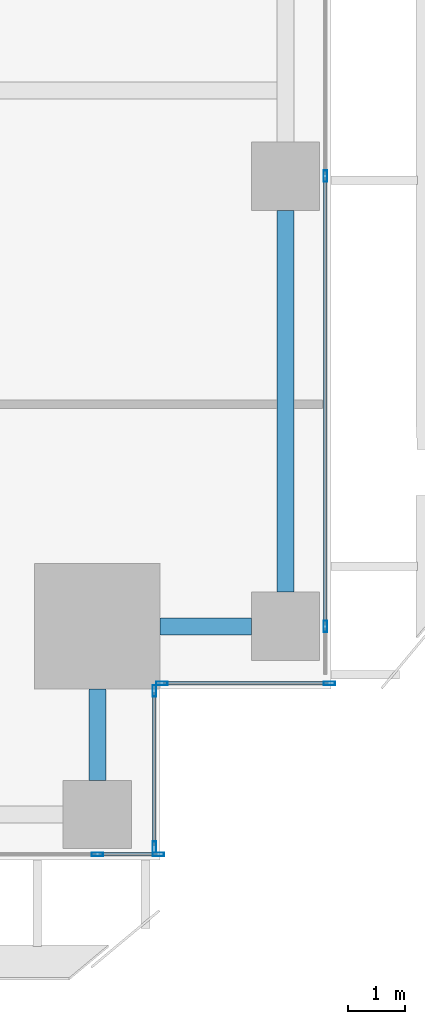
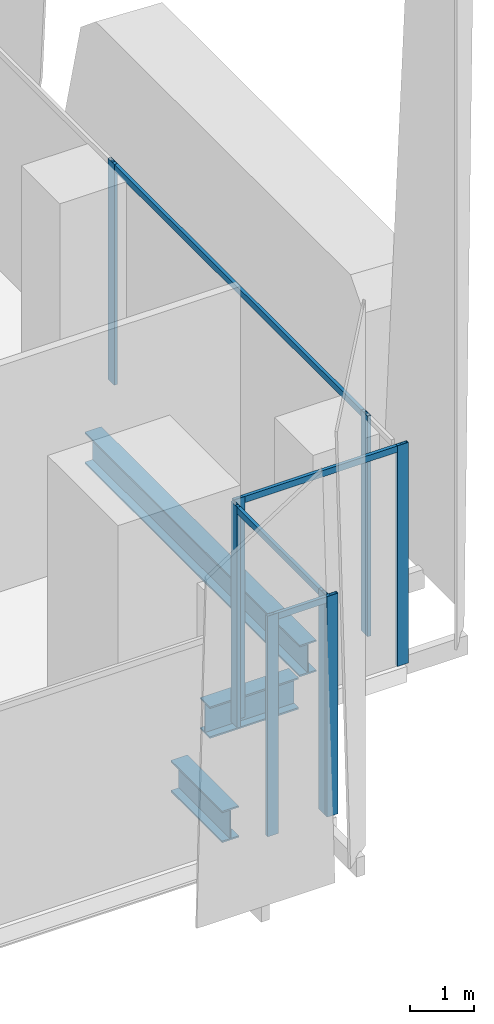
# One storey, part 9 of 36: 12 members, 3 beams, 4 elements without a shape of their own.
"""IFC4 building model written with IfcOpenShell, lengths in metres."""

from ifc_helpers import new_model, si_unit, direction, frame, origin, origin_2d, place, context, subcontext, project, spatial, hollow_rectangle, i_section, extrude, source, transform, mapped, material, material_profile, profile_set, type_object, element, aggregate, save


model = new_model("IFC4")

# Units and contexts
model_context = context("Model", 3, precision=1e-05, world=origin(), true_north=direction((0.0, 1.0)))
body_context = subcontext(model_context, "Body", "Model", "MODEL_VIEW")
ifc_project = project(units=[si_unit("LENGTHUNIT", "METRE"), si_unit("AREAUNIT", "SQUARE_METRE"), si_unit("VOLUMEUNIT", "CUBIC_METRE"), si_unit("PLANEANGLEUNIT", "RADIAN"), si_unit("MASSUNIT", "GRAM", prefix="KILO")], contexts=[model_context])

# Site, building, storey
site_placement = place(None, origin())
site = spatial("IfcSite", under=ifc_project, at=site_placement, CompositionType="ELEMENT")
building_placement = place(site_placement, origin())
building = spatial("IfcBuilding", under=site, at=building_placement, Name="Khomas Fold Tower", CompositionType="ELEMENT")
storey_placement = place(building_placement, frame((0.0, 0.0, 46.5)))
storey = spatial("IfcBuildingStorey", under=building, at=storey_placement, Name="L09", CompositionType="ELEMENT", Elevation=46.5)

# Beams
ifc_material_1 = material(Name="Steel S355", Category="steel")
ifc_material_profile_1 = material_profile(ifc_material_1, i_section(OverallWidth=0.300048828125, OverallDepth=0.60009765625, WebThickness=0.015380859375, FlangeThickness=0.030029296875, at=origin_2d()), Name="HE 600 B")
ifc_profile_set_1 = profile_set([ifc_material_profile_1], Name="Steel S355")
beam_type = type_object("IfcBeamType", Name="HE 600 B spandrel SB1", PredefinedType="SPANDREL", material=ifc_profile_set_1)
shared_shape_1 = source(origin(), body_context, "Body", "SweptSolid", [
    extrude(i_section(OverallWidth=0.300048828125, OverallDepth=0.60009765625, WebThickness=0.015380859375, FlangeThickness=0.030029296875, at=origin_2d()), origin(), (0.0, 0.0, 1.0), 6.699951171875),
])
beam_placement = place(storey_placement, frame((53.199951171875, 4.699951171875, -0.60009765625), z_axis=(0.0, 1.0, 0.0), x_axis=(-1.0, 0.0, 0.0)))
element("IfcBeam", 1, at=beam_placement, inside=storey, type_object=beam_type, Name="SB1", PredefinedType="SPANDREL", context=body_context, shape_type="MappedRepresentation", body=[
    mapped(shared_shape_1, transform((0.0, 0.0, 0.0))),
])
shared_shape_2 = source(origin(), body_context, "Body", "SweptSolid", [
    extrude(i_section(OverallWidth=0.300048828125, OverallDepth=0.60009765625, WebThickness=0.015380859375, FlangeThickness=0.030029296875, at=origin_2d()), origin(), (0.0, 0.0, 1.0), 1.60009765625),
])
for number, where, z_axis, x_axis, name in (
    (2, (49.89990234375, 1.39990234375, -0.60009765625), (0.0, 1.0, 0.0), (-1.0, 0.0, 0.0), "SB1"),
    (3, (51.0, 4.10009765625, -0.60009765625), (1.0, 0.0, 0.0), (0.0, 1.0, 0.0), "SB1"),
):
    element("IfcBeam", number, at=place(storey_placement, frame(where, z_axis=z_axis, x_axis=x_axis)), inside=storey, type_object=beam_type, Name=name, PredefinedType="SPANDREL", context=body_context, shape_type="MappedRepresentation", body=[
        mapped(shared_shape_2, transform((0.0, 0.0, 0.0))),
    ])

# Curtain wall, member
ifc_material_2 = material(Name="Aluminium framed double glazing", Category="aluminium")
curtain_wall_type = type_object("IfcCurtainWallType", Name="SK-Unitised clear-glass wall, growing floors CW1", PredefinedType="NOTDEFINED", material=ifc_material_2)
curtain_wall_1_placement = place(storey_placement, origin())
curtain_wall_1 = element("IfcCurtainWall", 4, at=curtain_wall_1_placement, inside=storey, type_object=curtain_wall_type, Name="CW1 run L09 03-0", PredefinedType="NOTDEFINED")
ifc_material_3 = material(Name="Aluminium", Category="aluminium")
ifc_material_profile_2 = material_profile(ifc_material_3, hollow_rectangle(XDim=0.06005859375, YDim=0.1201171875, WallThickness=0.00390625, at=origin_2d()), Name="SK-Unitised clear-glass wall, growing floors transom CW1-T")
ifc_profile_set_2 = profile_set([ifc_material_profile_2], Name="Aluminium")
member_type_1 = type_object("IfcMemberType", Name="SK-Unitised clear-glass wall, growing floors transom CW1-T", PredefinedType="USERDEFINED", material=ifc_profile_set_2)
shared_shape_3 = source(origin(), body_context, "Body", "SweptSolid", [
    extrude(hollow_rectangle(XDim=0.06005859375, YDim=0.1201171875, WallThickness=0.00390625, at=origin_2d()), origin(), (0.0, 0.0, 1.0), 7.840087890625),
])
member_1_placement = place(storey_placement, frame((53.89990234375, 4.1298828125, 4.139892578125), z_axis=(0.0, 1.0, 0.0), x_axis=(-1.0, 0.0, 0.0)))
member_1 = element("IfcMember", 5, at=member_1_placement, type_object=member_type_1, Name="CW1 transom 2", ObjectType="TRANSOM", PredefinedType="USERDEFINED", context=body_context, shape_type="MappedRepresentation", body=[
    mapped(shared_shape_3, transform((0.0, 0.0, 0.0))),
])

curtain_wall_2_placement = place(storey_placement, origin())
curtain_wall_2 = element("IfcCurtainWall", 6, at=curtain_wall_2_placement, inside=storey, type_object=curtain_wall_type, Name="CW1 run L09 00-0", PredefinedType="NOTDEFINED")
shared_shape_4 = source(origin(), body_context, "Body", "SweptSolid", [
    extrude(hollow_rectangle(XDim=0.06005859375, YDim=0.1201171875, WallThickness=0.00390625, at=origin_2d()), origin(), (0.0, 0.0, 1.0), 1.010009765625),
])
member_2_placement = place(storey_placement, frame((49.929931640625, 0.10009765625, 4.139892578125), z_axis=(1.0, 0.0, 0.0), x_axis=(0.0, 1.0, 0.0)))
member_2 = element("IfcMember", 7, at=member_2_placement, type_object=member_type_1, Name="CW1 transom 8", ObjectType="TRANSOM", PredefinedType="USERDEFINED", context=body_context, shape_type="MappedRepresentation", body=[
    mapped(shared_shape_4, transform((0.0, 0.0, 0.0))),
])

curtain_wall_3_placement = place(storey_placement, origin())
curtain_wall_3 = element("IfcCurtainWall", 8, at=curtain_wall_3_placement, inside=storey, type_object=curtain_wall_type, Name="CW1 corner return L09 01", PredefinedType="NOTDEFINED")
shared_shape_5 = source(origin(), body_context, "Body", "SweptSolid", [
    extrude(hollow_rectangle(XDim=0.06005859375, YDim=0.1201171875, WallThickness=0.00390625, at=origin_2d()), origin(), (0.0, 0.0, 1.0), 2.679931640625),
])
member_3_placement = place(storey_placement, frame((50.89990234375, 0.260009765625, 4.139892578125), z_axis=(0.0, 1.0, 0.0), x_axis=(-1.0, 0.0, 0.0)))
member_3 = element("IfcMember", 9, at=member_3_placement, type_object=member_type_1, Name="CW1 transom 1", ObjectType="TRANSOM", PredefinedType="USERDEFINED", context=body_context, shape_type="MappedRepresentation", body=[
    mapped(shared_shape_5, transform((0.0, 0.0, 0.0))),
])

curtain_wall_4_placement = place(storey_placement, origin())
curtain_wall_4 = element("IfcCurtainWall", 10, at=curtain_wall_4_placement, inside=storey, type_object=curtain_wall_type, Name="CW1 corner return L09 02", PredefinedType="NOTDEFINED")
shared_shape_6 = source(origin(), body_context, "Body", "SweptSolid", [
    extrude(hollow_rectangle(XDim=0.06005859375, YDim=0.1201171875, WallThickness=0.00390625, at=origin_2d()), origin(), (0.0, 0.0, 1.0), 2.8798828125),
])
member_4_placement = place(storey_placement, frame((51.06005859375, 3.10009765625, 4.139892578125), z_axis=(1.0, 0.0, 0.0), x_axis=(0.0, 1.0, 0.0)))
member_4 = element("IfcMember", 11, at=member_4_placement, type_object=member_type_1, Name="CW1 transom 1", ObjectType="TRANSOM", PredefinedType="USERDEFINED", context=body_context, shape_type="MappedRepresentation", body=[
    mapped(shared_shape_6, transform((0.0, 0.0, 0.0))),
])

# Member
ifc_material_4 = material(Name="Aluminium", Category="aluminium")
ifc_material_profile_3 = material_profile(ifc_material_4, hollow_rectangle(XDim=0.06005859375, YDim=0.199951171875, WallThickness=0.00390625, at=origin_2d()), Name="SK-Unitised clear-glass wall, growing floors mullion CW1-M")
ifc_profile_set_3 = profile_set([ifc_material_profile_3], Name="Aluminium")
member_type_2 = type_object("IfcMemberType", Name="SK-Unitised clear-glass wall, growing floors mullion CW1-M", PredefinedType="MULLION", material=ifc_profile_set_3)
shared_shape_7 = source(origin(), body_context, "Body", "SweptSolid", [
    extrude(hollow_rectangle(XDim=0.06005859375, YDim=0.199951171875, WallThickness=0.00390625, at=origin_2d()), origin(), (0.0, 0.0, 1.0), 4.199951171875),
])
member_5_placement = place(storey_placement, frame((49.89990234375, 0.10009765625, 0.0), z_axis=(0.0, 0.0, 1.0), x_axis=(0.0, 1.0, 0.0)))
member_5 = element("IfcMember", 12, at=member_5_placement, type_object=member_type_2, Name="CW1 mullion 8", PredefinedType="MULLION", context=body_context, shape_type="MappedRepresentation", body=[
    mapped(shared_shape_7, transform((0.0, 0.0, 0.0))),
])

member_6_placement = place(storey_placement, frame((50.969970703125, 0.10009765625, 0.0), z_axis=(0.0, 0.0, 1.0), x_axis=(0.0, 1.0, 0.0)))
member_6 = element("IfcMember", 13, at=member_6_placement, type_object=member_type_2, Name="CW1 mullion 9", PredefinedType="MULLION", context=body_context, shape_type="MappedRepresentation", body=[
    mapped(shared_shape_7, transform((0.0, 0.0, 0.0))),
])

aggregate(curtain_wall_2, [member_5, member_6, member_2])

member_7_placement = place(storey_placement, frame((50.89990234375, 0.22998046875, 0.0), z_axis=(0.0, 0.0, 1.0), x_axis=(-1.0, 0.0, 0.0)))
member_7 = element("IfcMember", 14, at=member_7_placement, type_object=member_type_2, Name="CW1 mullion 1", PredefinedType="MULLION", context=body_context, shape_type="MappedRepresentation", body=[
    mapped(shared_shape_7, transform((0.0, 0.0, 0.0))),
])

member_8_placement = place(storey_placement, frame((50.89990234375, 2.969970703125, 0.0), z_axis=(0.0, 0.0, 1.0), x_axis=(-1.0, 0.0, 0.0)))
member_8 = element("IfcMember", 15, at=member_8_placement, type_object=member_type_2, Name="CW1 mullion 2", PredefinedType="MULLION", context=body_context, shape_type="MappedRepresentation", body=[
    mapped(shared_shape_7, transform((0.0, 0.0, 0.0))),
])

aggregate(curtain_wall_3, [member_7, member_8, member_3])

member_9_placement = place(storey_placement, frame((51.030029296875, 3.10009765625, 0.0), z_axis=(0.0, 0.0, 1.0), x_axis=(0.0, 1.0, 0.0)))
member_9 = element("IfcMember", 16, at=member_9_placement, type_object=member_type_2, Name="CW1 mullion 1", PredefinedType="MULLION", context=body_context, shape_type="MappedRepresentation", body=[
    mapped(shared_shape_7, transform((0.0, 0.0, 0.0))),
])

member_10_placement = place(storey_placement, frame((53.969970703125, 3.10009765625, 0.0), z_axis=(0.0, 0.0, 1.0), x_axis=(0.0, 1.0, 0.0)))
member_10 = element("IfcMember", 17, at=member_10_placement, type_object=member_type_2, Name="CW1 mullion 2", PredefinedType="MULLION", context=body_context, shape_type="MappedRepresentation", body=[
    mapped(shared_shape_7, transform((0.0, 0.0, 0.0))),
])

aggregate(curtain_wall_4, [member_9, member_10, member_4])

member_11_placement = place(storey_placement, frame((53.89990234375, 4.10009765625, 0.0), z_axis=(0.0, 0.0, 1.0), x_axis=(-1.0, 0.0, 0.0)))
member_11 = element("IfcMember", 18, at=member_11_placement, type_object=member_type_2, Name="CW1 mullion 2", PredefinedType="MULLION", context=body_context, shape_type="MappedRepresentation", body=[
    mapped(shared_shape_7, transform((0.0, 0.0, 0.0))),
])

member_12_placement = place(storey_placement, frame((53.89990234375, 12.0, 0.0), z_axis=(0.0, 0.0, 1.0), x_axis=(-1.0, 0.0, 0.0)))
member_12 = element("IfcMember", 19, at=member_12_placement, type_object=member_type_2, Name="CW1 mullion 3", PredefinedType="MULLION", context=body_context, shape_type="MappedRepresentation", body=[
    mapped(shared_shape_7, transform((0.0, 0.0, 0.0))),
])

aggregate(curtain_wall_1, [member_11, member_12, member_1])

save(model, "model.ifc")
